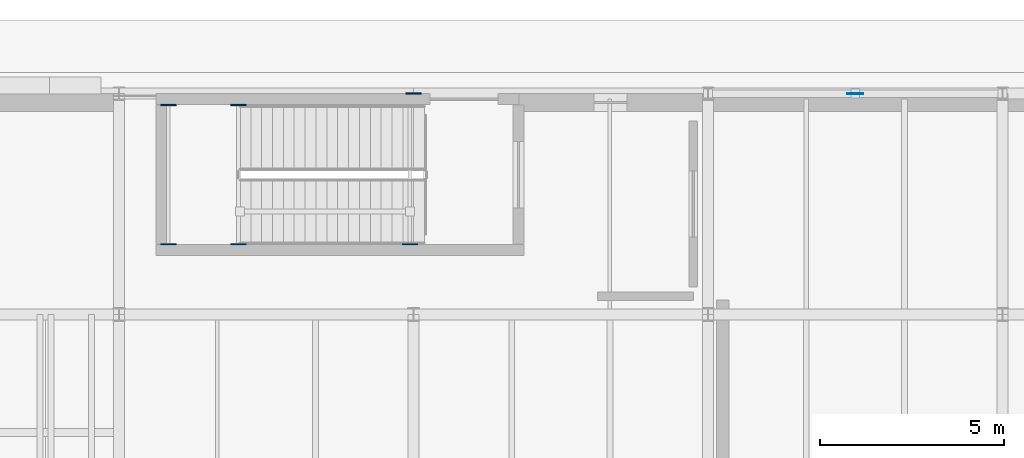
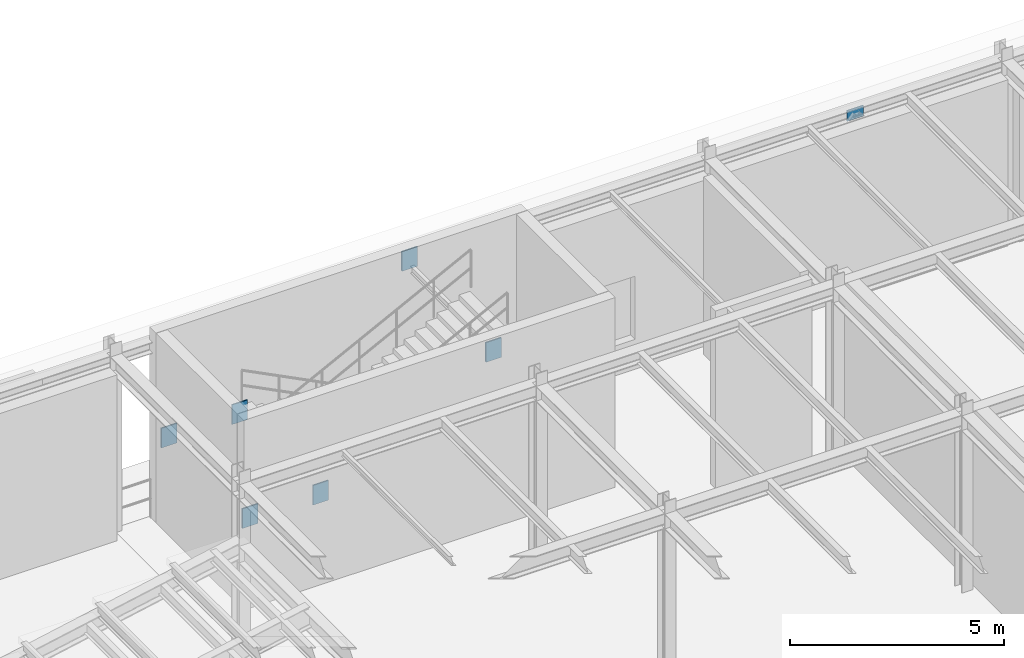
# One storey, part 75 of 129: 7 plates.
"""IFC4 building model written with IfcOpenShell, lengths in metres."""

from ifc_helpers import new_model, si_unit, direction, frame, origin, origin_2d, place, context, subcontext, project, spatial, rectangle, extrude, material, layer, layer_set, type_object, element, save


model = new_model("IFC4")

# Units and contexts
model_context = context("Model", 3, precision=1e-05, world=origin(), true_north=direction((0.0, 1.0)))
body_context = subcontext(model_context, "Body", "Model", "MODEL_VIEW")
ifc_project = project(units=[si_unit("LENGTHUNIT", "METRE"), si_unit("AREAUNIT", "SQUARE_METRE"), si_unit("VOLUMEUNIT", "CUBIC_METRE"), si_unit("PLANEANGLEUNIT", "RADIAN"), si_unit("MASSUNIT", "GRAM", prefix="KILO")], contexts=[model_context])

# Site, building, storey
site_placement = place(None, origin())
site = spatial("IfcSite", under=ifc_project, at=site_placement, CompositionType="ELEMENT")
building_placement = place(site_placement, origin())
building = spatial("IfcBuilding", under=site, at=building_placement, Name="Sundkrona Museum", CompositionType="ELEMENT")
storey_placement = place(building_placement, origin())
storey = spatial("IfcBuildingStorey", under=building, at=storey_placement, Name="L00", CompositionType="ELEMENT", Elevation=0.0)

# Plates
ifc_material = material(Name="Steel S355J2", Category="steel")
ifc_layer_1 = layer(ifc_material, 0.034912109375)
ifc_layer_set_1 = layer_set([ifc_layer_1], Name="Steel S355J2")
plate_type_1 = type_object("IfcPlateType", Name="EP-1", PredefinedType="USERDEFINED", material=ifc_layer_set_1)
for number, where, z_axis, x_axis, name in (
    (1, (144.0, 114.0, 4.60986328125), (0.0, 0.0, 1.0), (1.0, 0.0, 0.0), "Core Wall Cast-In Embed Plate BM-L00-X-0611-2"),
    (2, (137.339599609375, 109.909912109375, 2.099853515625), (0.0, 0.0, 1.0), (1.0, 0.0, 0.0), "Core Wall Cast-In Embed Plate BM-STLD-ST-5-L00-1A-1"),
    (3, (137.339599609375, 113.68994140625, 2.099853515625), (0.0, 0.0, 1.0), (1.0, 0.0, 0.0), "Core Wall Cast-In Embed Plate BM-STLD-ST-5-L00-1A-2"),
    (4, (139.245361328125, 109.909912109375, 2.099853515625), (0.0, 0.0, 1.0), (1.0, 0.0, 0.0), "Core Wall Cast-In Embed Plate BM-STLD-ST-5-L00-1B-1"),
    (5, (139.245361328125, 113.68994140625, 2.099853515625), (0.0, 0.0, 1.0), (1.0, 0.0, 0.0), "Core Wall Cast-In Embed Plate BM-STLD-ST-5-L00-1B-2"),
    (6, (143.89990234375, 109.909912109375, 4.5341796875), (0.0, 0.0, 1.0), (1.0, 0.0, 0.0), "Core Wall Cast-In Embed Plate BM-STHD-ST-5-L00-2-1"),
):
    element("IfcPlate", number, at=place(storey_placement, frame(where, z_axis=z_axis, x_axis=x_axis)), inside=storey, type_object=plate_type_1, Name=name, ObjectType="GUSSET PLATE", PredefinedType="USERDEFINED", context=body_context, shape_type="SweptSolid", body=[
        extrude(rectangle(XDim=0.419921875, YDim=0.034912109375, at=origin_2d()), origin(), (0.0, 0.0, 1.0), 0.56005859375),
    ])
ifc_layer_2 = layer(ifc_material, 0.02197265625)
ifc_layer_set_2 = layer_set([ifc_layer_2], Name="Steel S355J2")
plate_type_2 = type_object("IfcPlateType", Name="GP-5", PredefinedType="USERDEFINED", material=ifc_layer_set_2)
plate_placement = place(storey_placement, frame((156.0, 114.0, 4.675048828125), z_axis=(0.0, 0.0, 1.0), x_axis=(1.0, 0.0, 0.0)))
element("IfcPlate", 7, at=plate_placement, inside=storey, type_object=plate_type_2, Name="L00 Chevron Apex Gusset Plate 030", ObjectType="GUSSET PLATE", PredefinedType="USERDEFINED", context=body_context, shape_type="SweptSolid", body=[
    extrude(rectangle(XDim=0.43994140625, YDim=0.02197265625, at=origin_2d()), origin(), (0.0, 0.0, 1.0), 0.31005859375),
])

save(model, "model.ifc")
